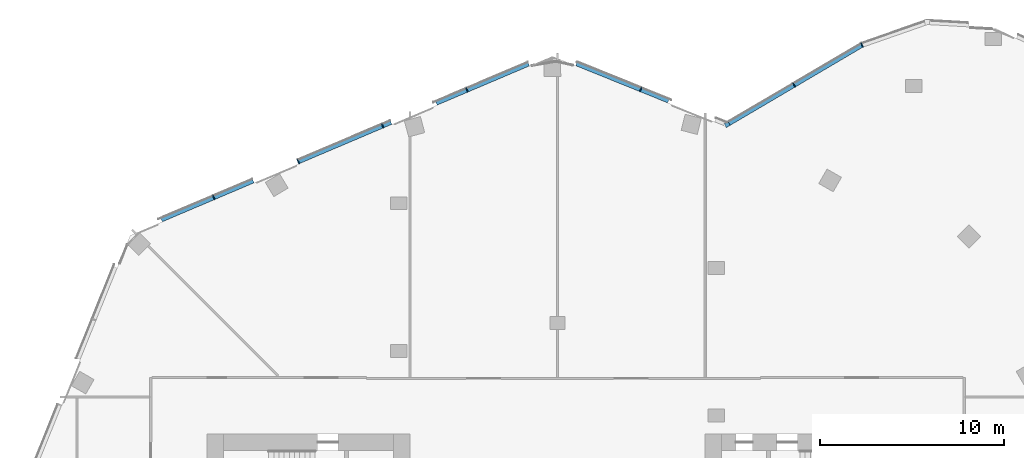
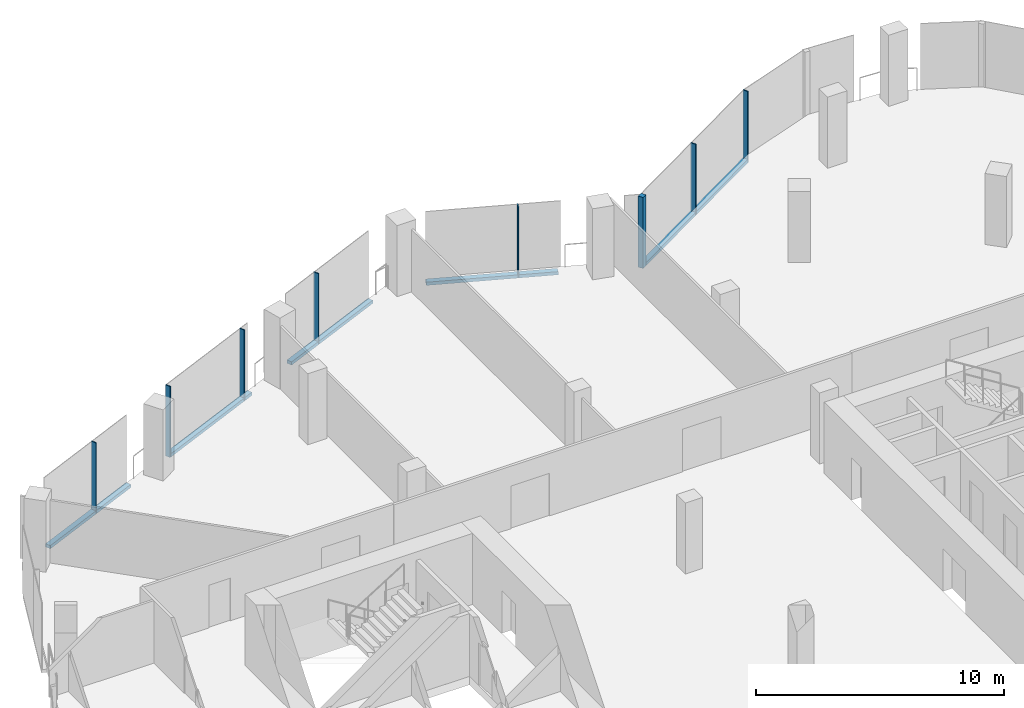
# One storey, part 8 of 26: 13 members, 4 elements without a shape of their own.
"""IFC4 building model written with IfcOpenShell, lengths in metres."""

from ifc_helpers import new_model, si_unit, direction, frame, origin, origin_2d, place, context, subcontext, project, spatial, rectangle, extrude, material, material_profile, profile_set, type_object, element, aggregate, save


model = new_model("IFC4")

# Units and contexts
model_context = context("Model", 3, precision=1e-05, world=origin(), true_north=direction((0.0, 1.0)))
body_context = subcontext(model_context, "Body", "Model", "MODEL_VIEW")
ifc_project = project(units=[si_unit("LENGTHUNIT", "METRE"), si_unit("AREAUNIT", "SQUARE_METRE"), si_unit("VOLUMEUNIT", "CUBIC_METRE"), si_unit("PLANEANGLEUNIT", "RADIAN"), si_unit("MASSUNIT", "GRAM", prefix="KILO")], contexts=[model_context])

# Site, building, storey
site_placement = place(None, origin())
site = spatial("IfcSite", under=ifc_project, at=site_placement, CompositionType="ELEMENT")
building_placement = place(site_placement, origin())
building = spatial("IfcBuilding", under=site, at=building_placement, Name="Orlundy Tower", CompositionType="ELEMENT")
storey_placement = place(building_placement, frame((0.0, 0.0, 275.39990234375)))
storey = spatial("IfcBuildingStorey", under=building, at=storey_placement, Name="L73", CompositionType="ELEMENT", Elevation=275.39990234375)

# Curtain wall, member
ifc_material_1 = material(Name="Aluminium bronze anodised", Category="aluminium")
curtain_wall_type = type_object("IfcCurtainWallType", Name="CW6 wall", PredefinedType="NOTDEFINED", material=ifc_material_1)
curtain_wall_1_placement = place(storey_placement, origin())
curtain_wall_1 = element("IfcCurtainWall", 1, at=curtain_wall_1_placement, inside=storey, type_object=curtain_wall_type, Name="CW6 run 018", PredefinedType="NOTDEFINED")
ifc_material_2 = material(Name="Aluminium bronze anodised", Category="aluminium")
ifc_material_profile_1 = material_profile(ifc_material_2, rectangle(XDim=0.239990234375, YDim=0.239990234375, at=origin_2d()), Name="CW6 corner post 240x240")
ifc_profile_set_1 = profile_set([ifc_material_profile_1], Name="Aluminium bronze anodised")
member_type_1 = type_object("IfcMemberType", Name="CW6 corner post 240x240", PredefinedType="MULLION", material=ifc_profile_set_1)
member_1_placement = place(storey_placement, frame((9.197998046875, 28.76953125, -0.39990234375), z_axis=(0.0, 0.0, 1.0), x_axis=(-0.5074810252, 0.861662932394, 0.0)))
member_1 = element("IfcMember", 2, at=member_1_placement, type_object=member_type_1, Name="CW6 mullion 39", PredefinedType="MULLION", context=body_context, shape_type="SweptSolid", body=[
    extrude(rectangle(XDim=0.239990234375, YDim=0.239990234375, at=origin_2d()), origin(), (0.0, 0.0, 1.0), 3.5),
])

# Curtain wall, members
curtain_wall_2_placement = place(storey_placement, origin())
curtain_wall_2 = element("IfcCurtainWall", 3, at=curtain_wall_2_placement, inside=storey, type_object=curtain_wall_type, Name="CW6 run 016", PredefinedType="NOTDEFINED")
ifc_material_3 = material(Name="Aluminium bronze anodised", Category="aluminium")
ifc_material_profile_2 = material_profile(ifc_material_3, rectangle(XDim=0.239990234375, YDim=0.050048828125, at=origin_2d()), Name="CW6 mullion 50x240")
ifc_profile_set_2 = profile_set([ifc_material_profile_2], Name="Aluminium bronze anodised")
member_type_2 = type_object("IfcMemberType", Name="CW6 mullion 50x240", PredefinedType="MULLION", material=ifc_profile_set_2)
member_2_placement = place(storey_placement, frame((-18.63232421875, 24.812744140625, -0.39990234375), z_axis=(0.0, 0.0, 1.0), x_axis=(-0.390726531244, 0.920506804854, 0.0)))
member_2 = element("IfcMember", 4, at=member_2_placement, type_object=member_type_2, Name="CW6 mullion 33", PredefinedType="MULLION", context=body_context, shape_type="SweptSolid", body=[
    extrude(rectangle(XDim=0.239990234375, YDim=0.050048828125, at=origin_2d()), origin(), (0.0, 0.0, 1.0), 3.5),
])
member_3_placement = place(storey_placement, frame((-14.056640625, 26.7548828125, -0.39990234375), z_axis=(0.0, 0.0, 1.0), x_axis=(-0.390726531244, 0.920506804854, 0.0)))
member_3 = element("IfcMember", 5, at=member_3_placement, type_object=member_type_2, Name="CW6 mullion 34", PredefinedType="MULLION", context=body_context, shape_type="SweptSolid", body=[
    extrude(rectangle(XDim=0.239990234375, YDim=0.050048828125, at=origin_2d()), origin(), (0.0, 0.0, 1.0), 3.5),
])
member_4_placement = place(storey_placement, frame((-9.481201171875, 28.697021484375, -0.39990234375), z_axis=(0.0, 0.0, 1.0), x_axis=(-0.390726531244, 0.920506804854, 0.0)))
member_4 = element("IfcMember", 6, at=member_4_placement, type_object=member_type_2, Name="CW6 mullion 35", PredefinedType="MULLION", context=body_context, shape_type="SweptSolid", body=[
    extrude(rectangle(XDim=0.239990234375, YDim=0.050048828125, at=origin_2d()), origin(), (0.0, 0.0, 1.0), 3.5),
])
member_5_placement = place(storey_placement, frame((-4.905517578125, 30.63916015625, -0.39990234375), z_axis=(0.0, 0.0, 1.0), x_axis=(-0.390726531244, 0.920506804854, 0.0)))
member_5 = element("IfcMember", 7, at=member_5_placement, type_object=member_type_2, Name="CW6 mullion 36", PredefinedType="MULLION", context=body_context, shape_type="SweptSolid", body=[
    extrude(rectangle(XDim=0.239990234375, YDim=0.050048828125, at=origin_2d()), origin(), (0.0, 0.0, 1.0), 3.5),
])

# Curtain wall, member
curtain_wall_3_placement = place(storey_placement, origin())
curtain_wall_3 = element("IfcCurtainWall", 8, at=curtain_wall_3_placement, inside=storey, type_object=curtain_wall_type, Name="CW6 run 017", PredefinedType="NOTDEFINED")
member_6_placement = place(storey_placement, frame((4.507568359375, 30.664794921875, -0.39990234375), z_axis=(0.0, 0.0, 1.0), x_axis=(0.374639101319, 0.927170719858, 0.0)))
member_6 = element("IfcMember", 9, at=member_6_placement, type_object=member_type_2, Name="CW6 mullion 38", PredefinedType="MULLION", context=body_context, shape_type="SweptSolid", body=[
    extrude(rectangle(XDim=0.239990234375, YDim=0.050048828125, at=origin_2d()), origin(), (0.0, 0.0, 1.0), 3.5),
])

# Member
member_7_placement = place(storey_placement, frame((12.822998046875, 30.904296875, -0.39990234375), z_axis=(0.0, 0.0, 1.0), x_axis=(-0.5074810252, 0.861662932394, 0.0)))
member_7 = element("IfcMember", 10, at=member_7_placement, type_object=member_type_2, Name="CW6 mullion 40", PredefinedType="MULLION", context=body_context, shape_type="SweptSolid", body=[
    extrude(rectangle(XDim=0.239990234375, YDim=0.050048828125, at=origin_2d()), origin(), (0.0, 0.0, 1.0), 3.5),
])

# Curtain wall, member
curtain_wall_4_placement = place(storey_placement, origin())
curtain_wall_4 = element("IfcCurtainWall", 11, at=curtain_wall_4_placement, inside=storey, type_object=curtain_wall_type, Name="CW6 run 019", PredefinedType="NOTDEFINED")
member_8_placement = place(storey_placement, frame((16.50927734375, 33.075439453125, -0.39990234375), z_axis=(0.0, 0.0, 1.0), x_axis=(-0.420620734298, 0.907236572168, 0.0)))
member_8 = element("IfcMember", 12, at=member_8_placement, type_object=member_type_2, Name="CW6 mullion 41", PredefinedType="MULLION", context=body_context, shape_type="SweptSolid", body=[
    extrude(rectangle(XDim=0.239990234375, YDim=0.050048828125, at=origin_2d()), origin(), (0.0, 0.0, 1.0), 3.5),
])
aggregate(curtain_wall_4, [member_8])

# Member
ifc_material_4 = material(Name="Aluminium bronze anodised", Category="aluminium")
ifc_material_profile_3 = material_profile(ifc_material_4, rectangle(XDim=0.239990234375, YDim=0.159912109375, at=origin_2d()), Name="CW6 transom 240x160")
ifc_profile_set_3 = profile_set([ifc_material_profile_3], Name="Aluminium bronze anodised")
member_type_3 = type_object("IfcMemberType", Name="CW6 transom 240x160", PredefinedType="USERDEFINED", material=ifc_profile_set_3)
member_9_placement = place(storey_placement, frame((-21.47216796875, 23.607177734375, -0.31982421875), z_axis=(0.920509381927, 0.390720459899, 0.0), x_axis=(-0.390720459899, 0.920509381927, 0.0)))
member_9 = element("IfcMember", 13, at=member_9_placement, type_object=member_type_3, Name="CW6 transom", ObjectType="TRANSOM", PredefinedType="USERDEFINED", context=body_context, shape_type="SweptSolid", body=[
    extrude(rectangle(XDim=0.239990234375, YDim=0.159912109375, at=origin_2d()), origin(), (0.0, 0.0, 1.0), 5.40185546875),
])

member_10_placement = place(storey_placement, frame((-14.02490234375, 26.768310546875, -0.31982421875), z_axis=(0.920502402336, 0.390736902907, 0.0), x_axis=(-0.390736902907, 0.920502402336, 0.0)))
member_10 = element("IfcMember", 14, at=member_10_placement, type_object=member_type_3, Name="CW6 transom", ObjectType="TRANSOM", PredefinedType="USERDEFINED", context=body_context, shape_type="SweptSolid", body=[
    extrude(rectangle(XDim=0.239990234375, YDim=0.159912109375, at=origin_2d()), origin(), (0.0, 0.0, 1.0), 5.4296875),
])

member_11_placement = place(storey_placement, frame((-6.572021484375, 29.931884765625, -0.31982421875), z_axis=(0.920502530106, 0.390736601904, 0.0), x_axis=(-0.390736601904, 0.920502530106, 0.0)))
member_11 = element("IfcMember", 15, at=member_11_placement, type_object=member_type_3, Name="CW6 transom", ObjectType="TRANSOM", PredefinedType="USERDEFINED", context=body_context, shape_type="SweptSolid", body=[
    extrude(rectangle(XDim=0.239990234375, YDim=0.159912109375, at=origin_2d()), origin(), (0.0, 0.0, 1.0), 5.4384765625),
])

aggregate(curtain_wall_2, [member_2, member_3, member_4, member_5, member_9, member_10, member_11])

member_12_placement = place(storey_placement, frame((1.031005859375, 32.069580078125, -0.31982421875), z_axis=(0.927158411729, -0.374669560493, 0.0), x_axis=(0.374669560493, 0.927158411729, 0.0)))
member_12 = element("IfcMember", 16, at=member_12_placement, type_object=member_type_3, Name="CW6 transom", ObjectType="TRANSOM", PredefinedType="USERDEFINED", context=body_context, shape_type="SweptSolid", body=[
    extrude(rectangle(XDim=0.239990234375, YDim=0.159912109375, at=origin_2d()), origin(), (0.0, 0.0, 1.0), 5.375244140625),
])

aggregate(curtain_wall_3, [member_6, member_12])

member_13_placement = place(storey_placement, frame((9.301513671875, 28.830322265625, -0.31982421875), z_axis=(0.861654135991, 0.507495960506, 0.0), x_axis=(-0.507495960506, 0.861654135991, 0.0)))
member_13 = element("IfcMember", 17, at=member_13_placement, type_object=member_type_3, Name="CW6 transom", ObjectType="TRANSOM", PredefinedType="USERDEFINED", context=body_context, shape_type="SweptSolid", body=[
    extrude(rectangle(XDim=0.239990234375, YDim=0.159912109375, at=origin_2d()), origin(), (0.0, 0.0, 1.0), 8.33984375),
])

aggregate(curtain_wall_1, [member_1, member_7, member_13])

save(model, "model.ifc")
